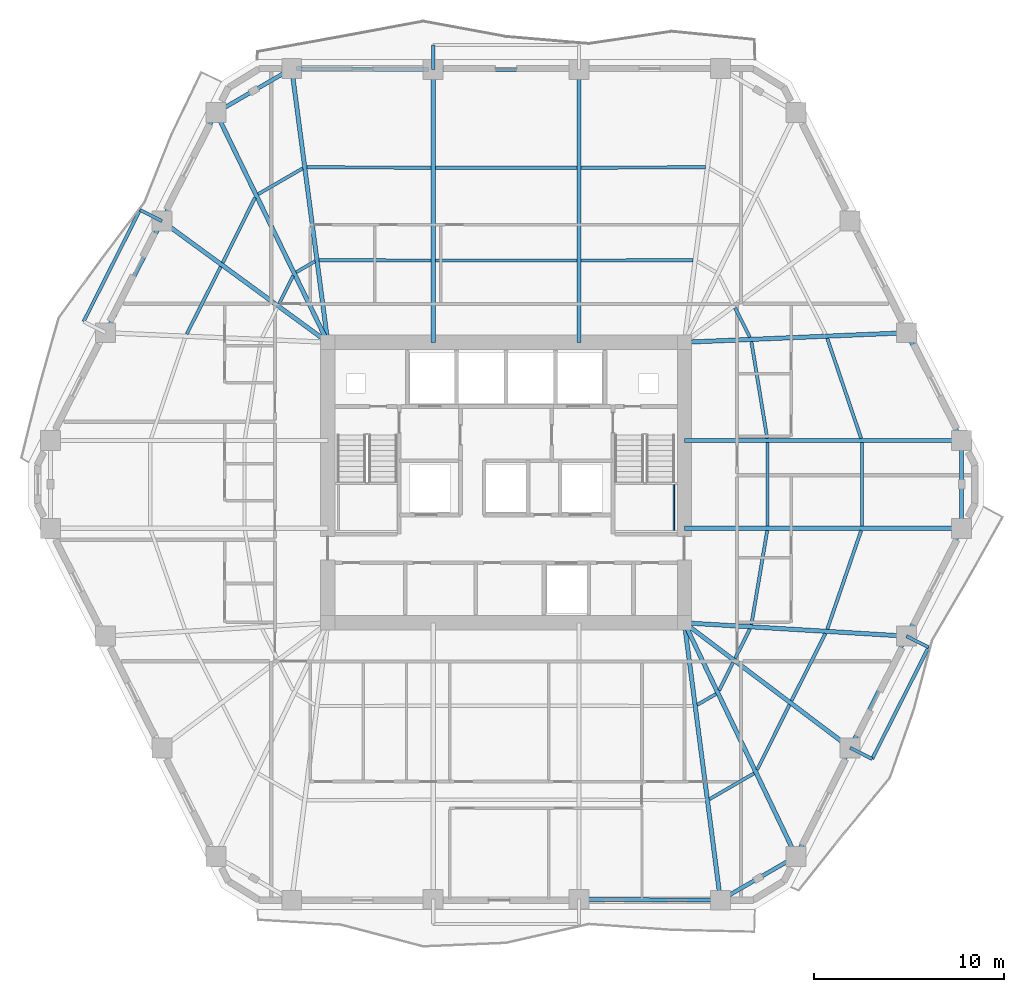
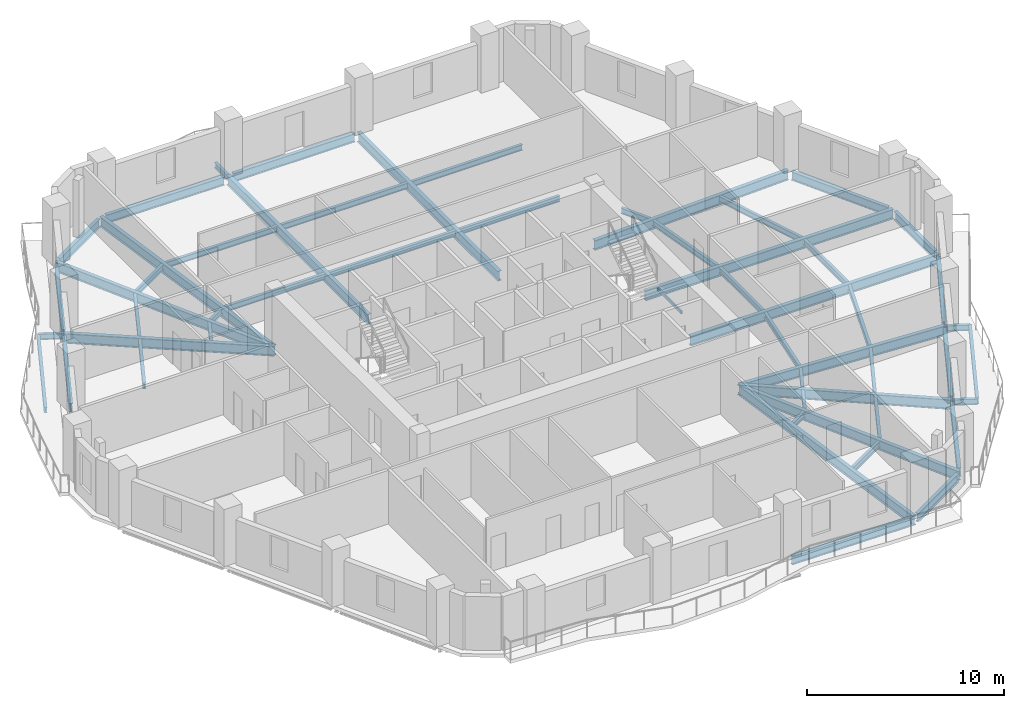
# One storey, part 2 of 10: 55 beams.
"""IFC4 building model written with IfcOpenShell, lengths in metres."""

from ifc_helpers import new_model, si_unit, direction, frame, origin, origin_2d, place, context, subcontext, project, spatial, hollow_rectangle, i_section, extrude, material, material_profile, profile_set, type_object, element, save


model = new_model("IFC4")

# Units and contexts
model_context = context("Model", 3, precision=1e-05, world=origin(), true_north=direction((0.0, 1.0)))
body_context = subcontext(model_context, "Body", "Model", "MODEL_VIEW")
ifc_project = project(units=[si_unit("LENGTHUNIT", "METRE"), si_unit("AREAUNIT", "SQUARE_METRE"), si_unit("VOLUMEUNIT", "CUBIC_METRE"), si_unit("PLANEANGLEUNIT", "RADIAN"), si_unit("MASSUNIT", "GRAM", prefix="KILO")], contexts=[model_context])

# Site, building, storey
site_placement = place(None, origin())
site = spatial("IfcSite", under=ifc_project, at=site_placement, CompositionType="ELEMENT")
building_placement = place(site_placement, origin())
building = spatial("IfcBuilding", under=site, at=building_placement, Name="Cinnabar Lancet Tower", CompositionType="ELEMENT")
storey_placement = place(building_placement, frame((0.0, 0.0, 119.699951171875)))
storey = spatial("IfcBuildingStorey", under=building, at=storey_placement, Name="L31", CompositionType="ELEMENT", Elevation=119.699951171875)

# Beams
ifc_material_1 = material(Name="Structural steel S355", Category="steel")
ifc_material_profile_1 = material_profile(ifc_material_1, i_section(OverallWidth=0.17138671875, OverallDepth=0.35498046875, WebThickness=0.00732421875, FlangeThickness=0.011474609375, FilletRadius=0.01025390625, at=origin_2d()), Name="UKB 356x171x51")
ifc_profile_set_1 = profile_set([ifc_material_profile_1], Name="Structural steel S355")
beam_type_1 = type_object("IfcBeamType", Name="STR-BM-JST-356", PredefinedType="JOIST", material=ifc_profile_set_1)
beam_1_placement = place(storey_placement, frame((43.093994140625, 9.251953125, -0.387939453125), z_axis=(0.865172906898, 0.501473669469, 0.0), x_axis=(-0.501473669469, 0.865172906898, 0.0)))
element("IfcBeam", 1, at=beam_1_placement, inside=storey, type_object=beam_type_1, Name="L31 Secondary Floor Joist 15", PredefinedType="JOIST", context=body_context, shape_type="SweptSolid", body=[
    extrude(i_section(OverallWidth=0.17138671875, OverallDepth=0.35498046875, WebThickness=0.00732421875, FlangeThickness=0.011474609375, FilletRadius=0.01025390625, at=origin_2d()), origin(), (0.0, 0.0, 1.0), 2.705810546875),
])
beam_2_placement = place(storey_placement, frame((42.449951171875, 14.2109375, -0.387939453125), z_axis=(0.865055308165, 0.501676503154, 0.0), x_axis=(-0.501676503154, 0.865055308165, 0.0)))
element("IfcBeam", 2, at=beam_2_placement, inside=storey, type_object=beam_type_1, Name="L31 Secondary Floor Joist 16", PredefinedType="JOIST", context=body_context, shape_type="SweptSolid", body=[
    extrude(i_section(OverallWidth=0.17138671875, OverallDepth=0.35498046875, WebThickness=0.00732421875, FlangeThickness=0.011474609375, FilletRadius=0.01025390625, at=origin_2d()), origin(), (0.0, 0.0, 1.0), 1.14208984375),
])
beam_3_placement = place(storey_placement, frame((45.59912109375, 10.7958984375, -0.387939453125), z_axis=(0.445295120803, 0.895383859241, 0.0), x_axis=(-0.895383859241, 0.445295120803, 0.0)))
element("IfcBeam", 3, at=beam_3_placement, inside=storey, type_object=beam_type_1, Name="L31 Secondary Floor Joist 17", PredefinedType="JOIST", context=body_context, shape_type="SweptSolid", body=[
    extrude(i_section(OverallWidth=0.17138671875, OverallDepth=0.35498046875, WebThickness=0.00732421875, FlangeThickness=0.011474609375, FilletRadius=0.01025390625, at=origin_2d()), origin(), (0.0, 0.0, 1.0), 3.81982421875),
])
beam_4_placement = place(storey_placement, frame((43.60205078125, 14.970947265625, -0.387939453125), z_axis=(0.44543923568, 0.895312173109, 0.0), x_axis=(-0.895312173109, 0.44543923568, 0.0)))
element("IfcBeam", 4, at=beam_4_placement, inside=storey, type_object=beam_type_1, Name="L31 Secondary Floor Joist 18", PredefinedType="JOIST", context=body_context, shape_type="SweptSolid", body=[
    extrude(i_section(OverallWidth=0.17138671875, OverallDepth=0.35498046875, WebThickness=0.00732421875, FlangeThickness=0.011474609375, FilletRadius=0.01025390625, at=origin_2d()), origin(), (0.0, 0.0, 1.0), 1.65185546875),
])
beam_5_placement = place(storey_placement, frame((47.404052734375, 14.424072265625, -0.387939453125), z_axis=(0.450706028652, 0.892672434736, 0.0), x_axis=(-0.892672434736, 0.450706028652, 0.0)))
element("IfcBeam", 5, at=beam_5_placement, inside=storey, type_object=beam_type_1, Name="L31 Secondary Floor Joist 19", PredefinedType="JOIST", context=body_context, shape_type="SweptSolid", body=[
    extrude(i_section(OverallWidth=0.17138671875, OverallDepth=0.35498046875, WebThickness=0.00732421875, FlangeThickness=0.011474609375, FilletRadius=0.01025390625, at=origin_2d()), origin(), (0.0, 0.0, 1.0), 3.966796875),
])
beam_6_placement = place(storey_placement, frame((44.44091796875, 16.657958984375, -0.387939453125), z_axis=(0.450874341268, 0.892587434589, 0.0), x_axis=(-0.892587434589, 0.450874341268, 0.0)))
element("IfcBeam", 6, at=beam_6_placement, inside=storey, type_object=beam_type_1, Name="L31 Secondary Floor Joist 20", PredefinedType="JOIST", context=body_context, shape_type="SweptSolid", body=[
    extrude(i_section(OverallWidth=0.17138671875, OverallDepth=0.35498046875, WebThickness=0.00732421875, FlangeThickness=0.011474609375, FilletRadius=0.01025390625, at=origin_2d()), origin(), (0.0, 0.0, 1.0), 1.732177734375),
])
beam_7_placement = place(storey_placement, frame((49.287109375, 18.18798828125, -0.387939453125), z_axis=(0.324639458548, 0.945837841257, 0.0), x_axis=(-0.945837841257, 0.324639458548, 0.0)))
element("IfcBeam", 7, at=beam_7_placement, inside=storey, type_object=beam_type_1, Name="L31 Secondary Floor Joist 21", PredefinedType="JOIST", context=body_context, shape_type="SweptSolid", body=[
    extrude(i_section(OverallWidth=0.17138671875, OverallDepth=0.35498046875, WebThickness=0.00732421875, FlangeThickness=0.011474609375, FilletRadius=0.01025390625, at=origin_2d()), origin(), (0.0, 0.0, 1.0), 5.486083984375),
])
beam_8_placement = place(storey_placement, frame((45.297119140625, 18.427978515625, -0.387939453125), z_axis=(0.165937104691, 0.986136338082, 0.0), x_axis=(-0.986136338082, 0.165937104691, 0.0)))
element("IfcBeam", 8, at=beam_8_placement, inside=storey, type_object=beam_type_1, Name="L31 Secondary Floor Joist 22", PredefinedType="JOIST", context=body_context, shape_type="SweptSolid", body=[
    extrude(i_section(OverallWidth=0.17138671875, OverallDepth=0.35498046875, WebThickness=0.00732421875, FlangeThickness=0.011474609375, FilletRadius=0.01025390625, at=origin_2d()), origin(), (0.0, 0.0, 1.0), 5.0185546875),
])
for number, where, z_axis, x_axis, name in (
    (9, (51.10693359375, 23.60498046875, -0.387939453125), (0.0, 1.0, 0.0), (-1.0, 0.0, 0.0), "L31 Secondary Floor Joist 23"),
    (10, (46.14990234375, 23.60498046875, -0.387939453125), (0.0, 1.0, 0.0), (-1.0, 0.0, 0.0), "L31 Secondary Floor Joist 24"),
):
    element("IfcBeam", number, at=place(storey_placement, frame(where, z_axis=z_axis, x_axis=x_axis)), inside=storey, type_object=beam_type_1, Name=name, PredefinedType="JOIST", context=body_context, shape_type="SweptSolid", body=[
        extrude(i_section(OverallWidth=0.17138671875, OverallDepth=0.35498046875, WebThickness=0.00732421875, FlangeThickness=0.011474609375, FilletRadius=0.01025390625, at=origin_2d()), origin(), (0.0, 0.0, 1.0), 4.39013671875),
    ])
beam_9_placement = place(storey_placement, frame((51.069091796875, 28.222900390625, -0.387939453125), z_axis=(-0.321063338019, 0.947057724207, 0.0), x_axis=(-0.947057724207, -0.321063338019, 0.0)))
element("IfcBeam", 11, at=beam_9_placement, inside=storey, type_object=beam_type_1, Name="L31 Secondary Floor Joist 25", PredefinedType="JOIST", context=body_context, shape_type="SweptSolid", body=[
    extrude(i_section(OverallWidth=0.17138671875, OverallDepth=0.35498046875, WebThickness=0.00732421875, FlangeThickness=0.011474609375, FilletRadius=0.01025390625, at=origin_2d()), origin(), (0.0, 0.0, 1.0), 5.553955078125),
])
beam_10_placement = place(storey_placement, frame((46.131103515625, 28.222900390625, -0.387939453125), z_axis=(-0.161719098977, 0.986836832017, 0.0), x_axis=(-0.986836832017, -0.161719098977, 0.0)))
element("IfcBeam", 12, at=beam_10_placement, inside=storey, type_object=beam_type_1, Name="L31 Secondary Floor Joist 26", PredefinedType="JOIST", context=body_context, shape_type="SweptSolid", body=[
    extrude(i_section(OverallWidth=0.17138671875, OverallDepth=0.35498046875, WebThickness=0.00732421875, FlangeThickness=0.011474609375, FilletRadius=0.01025390625, at=origin_2d()), origin(), (0.0, 0.0, 1.0), 5.156982421875),
])
beam_11_placement = place(storey_placement, frame((45.221923828125, 33.537109375, -0.387939453125), z_axis=(-0.450931068976, 0.892558777354, 0.0), x_axis=(-0.892558777354, -0.450931068976, 0.0)))
element("IfcBeam", 13, at=beam_11_placement, inside=storey, type_object=beam_type_1, Name="L31 Secondary Floor Joist 28", PredefinedType="JOIST", context=body_context, shape_type="SweptSolid", body=[
    extrude(i_section(OverallWidth=0.17138671875, OverallDepth=0.35498046875, WebThickness=0.00732421875, FlangeThickness=0.011474609375, FilletRadius=0.01025390625, at=origin_2d()), origin(), (0.0, 0.0, 1.0), 1.73193359375),
])
beam_12_placement = place(storey_placement, frame((42.8720703125, 42.48095703125, -0.387939453125), z_axis=(-0.999987991898, -0.004900618269, 0.0), x_axis=(0.004900618269, -0.999987991898, 0.0)))
element("IfcBeam", 14, at=beam_12_placement, inside=storey, type_object=beam_type_1, Name="L31 Secondary Floor Joist 33", PredefinedType="JOIST", context=body_context, shape_type="SweptSolid", body=[
    extrude(i_section(OverallWidth=0.17138671875, OverallDepth=0.35498046875, WebThickness=0.00732421875, FlangeThickness=0.011474609375, FilletRadius=0.01025390625, at=origin_2d()), origin(), (0.0, 0.0, 1.0), 6.526123046875),
])
beam_13_placement = place(storey_placement, frame((42.22802734375, 37.591064453125, -0.387939453125), z_axis=(-0.999996247906, -0.002739374605, 0.0), x_axis=(0.002739374605, -0.999996247906, 0.0)))
element("IfcBeam", 15, at=beam_13_placement, inside=storey, type_object=beam_type_1, Name="L31 Secondary Floor Joist 34", PredefinedType="JOIST", context=body_context, shape_type="SweptSolid", body=[
    extrude(i_section(OverallWidth=0.17138671875, OverallDepth=0.35498046875, WebThickness=0.00732421875, FlangeThickness=0.011474609375, FilletRadius=0.01025390625, at=origin_2d()), origin(), (0.0, 0.0, 1.0), 5.882080078125),
])
for number, where, z_axis, x_axis, name in (
    (16, (36.117919921875, 42.447998046875, -0.387939453125), (-1.0, 0.0, 0.0), (0.0, -1.0, 0.0), "L31 Secondary Floor Joist 35"),
    (17, (36.117919921875, 37.574951171875, -0.387939453125), (-1.0, 0.0, 0.0), (0.0, -1.0, 0.0), "L31 Secondary Floor Joist 36"),
):
    element("IfcBeam", number, at=place(storey_placement, frame(where, z_axis=z_axis, x_axis=x_axis)), inside=storey, type_object=beam_type_1, Name=name, PredefinedType="JOIST", context=body_context, shape_type="SweptSolid", body=[
        extrude(i_section(OverallWidth=0.17138671875, OverallDepth=0.35498046875, WebThickness=0.00732421875, FlangeThickness=0.011474609375, FilletRadius=0.01025390625, at=origin_2d()), origin(), (0.0, 0.0, 1.0), 7.43603515625),
    ])
beam_14_placement = place(storey_placement, frame((28.4541015625, 42.448974609375, -0.387939453125), z_axis=(-0.999987991898, 0.004900618269, 0.0), x_axis=(-0.004900618269, -0.999987991898, 0.0)))
element("IfcBeam", 18, at=beam_14_placement, inside=storey, type_object=beam_type_1, Name="L31 Secondary Floor Joist 37", PredefinedType="JOIST", context=body_context, shape_type="SweptSolid", body=[
    extrude(i_section(OverallWidth=0.17138671875, OverallDepth=0.35498046875, WebThickness=0.00732421875, FlangeThickness=0.011474609375, FilletRadius=0.01025390625, at=origin_2d()), origin(), (0.0, 0.0, 1.0), 6.526123046875),
])
beam_15_placement = place(storey_placement, frame((28.4541015625, 37.574951171875, -0.387939453125), z_axis=(-0.999996247906, 0.002739374605, 0.0), x_axis=(-0.002739374605, -0.999996247906, 0.0)))
element("IfcBeam", 19, at=beam_15_placement, inside=storey, type_object=beam_type_1, Name="L31 Secondary Floor Joist 38", PredefinedType="JOIST", context=body_context, shape_type="SweptSolid", body=[
    extrude(i_section(OverallWidth=0.17138671875, OverallDepth=0.35498046875, WebThickness=0.00732421875, FlangeThickness=0.011474609375, FilletRadius=0.01025390625, at=origin_2d()), origin(), (0.0, 0.0, 1.0), 5.882080078125),
])
beam_16_placement = place(storey_placement, frame((21.7060546875, 42.419921875, -0.387939453125), z_axis=(-0.865172906898, -0.501473669469, 0.0), x_axis=(0.501473669469, -0.865172906898, 0.0)))
element("IfcBeam", 20, at=beam_16_placement, inside=storey, type_object=beam_type_1, Name="L31 Secondary Floor Joist 39", PredefinedType="JOIST", context=body_context, shape_type="SweptSolid", body=[
    extrude(i_section(OverallWidth=0.17138671875, OverallDepth=0.35498046875, WebThickness=0.00732421875, FlangeThickness=0.011474609375, FilletRadius=0.01025390625, at=origin_2d()), origin(), (0.0, 0.0, 1.0), 2.705810546875),
])
beam_17_placement = place(storey_placement, frame((22.35009765625, 37.529052734375, -0.387939453125), z_axis=(-0.865055308165, -0.501676503154, 0.0), x_axis=(0.501676503154, -0.865055308165, 0.0)))
element("IfcBeam", 21, at=beam_17_placement, inside=storey, type_object=beam_type_1, Name="L31 Secondary Floor Joist 40", PredefinedType="JOIST", context=body_context, shape_type="SweptSolid", body=[
    extrude(i_section(OverallWidth=0.17138671875, OverallDepth=0.35498046875, WebThickness=0.00732421875, FlangeThickness=0.011474609375, FilletRadius=0.01025390625, at=origin_2d()), origin(), (0.0, 0.0, 1.0), 1.14208984375),
])
beam_18_placement = place(storey_placement, frame((19.200927734375, 40.876953125, -0.387939453125), z_axis=(-0.445116798807, -0.895472520751, 0.0), x_axis=(0.895472520751, -0.445116798807, 0.0)))
element("IfcBeam", 22, at=beam_18_placement, inside=storey, type_object=beam_type_1, Name="L31 Secondary Floor Joist 41", PredefinedType="JOIST", context=body_context, shape_type="SweptSolid", body=[
    extrude(i_section(OverallWidth=0.17138671875, OverallDepth=0.35498046875, WebThickness=0.00732421875, FlangeThickness=0.011474609375, FilletRadius=0.01025390625, at=origin_2d()), origin(), (0.0, 0.0, 1.0), 3.8212890625),
])
beam_19_placement = place(storey_placement, frame((21.198974609375, 36.77001953125, -0.387939453125), z_axis=(-0.445795466264, -0.895134851438, 0.0), x_axis=(0.895134851438, -0.445795466264, 0.0)))
element("IfcBeam", 23, at=beam_19_placement, inside=storey, type_object=beam_type_1, Name="L31 Secondary Floor Joist 42", PredefinedType="JOIST", context=body_context, shape_type="SweptSolid", body=[
    extrude(i_section(OverallWidth=0.17138671875, OverallDepth=0.35498046875, WebThickness=0.00732421875, FlangeThickness=0.011474609375, FilletRadius=0.01025390625, at=origin_2d()), origin(), (0.0, 0.0, 1.0), 1.6533203125),
])
beam_20_placement = place(storey_placement, frame((17.39599609375, 37.2490234375, -0.387939453125), z_axis=(-0.450656035687, -0.892697674187, 0.0), x_axis=(0.892697674187, -0.450656035687, 0.0)))
element("IfcBeam", 24, at=beam_20_placement, inside=storey, type_object=beam_type_1, Name="L31 Secondary Floor Joist 43", PredefinedType="JOIST", context=body_context, shape_type="SweptSolid", body=[
    extrude(i_section(OverallWidth=0.17138671875, OverallDepth=0.35498046875, WebThickness=0.00732421875, FlangeThickness=0.011474609375, FilletRadius=0.01025390625, at=origin_2d()), origin(), (0.0, 0.0, 1.0), 3.9677734375),
])
ifc_material_2 = material(Name="Structural steel S355", Category="steel")
ifc_material_profile_2 = material_profile(ifc_material_2, hollow_rectangle(XDim=0.10009765625, YDim=0.199951171875, WallThickness=0.008056640625, InnerFilletRadius=0.00390625, OuterFilletRadius=0.011962890625, at=origin_2d()), Name="RHS 200x100x8")
ifc_profile_set_2 = profile_set([ifc_material_profile_2], Name="Structural steel S355")
beam_type_2 = type_object("IfcBeamType", Name="STR-BM-LND-203", PredefinedType="BEAM", material=ifc_profile_set_2)
beam_21_placement = place(storey_placement, frame((41.219970703125, 23.3798828125, 1.47509765625), z_axis=(0.0, 1.0, 0.0), x_axis=(-1.0, 0.0, 0.0)))
element("IfcBeam", 25, at=beam_21_placement, inside=storey, type_object=beam_type_2, Name="L31 ST-2-L31 Landing Side Trimmer Beam", PredefinedType="BEAM", context=body_context, shape_type="SweptSolid", body=[
    extrude(hollow_rectangle(XDim=0.10009765625, YDim=0.199951171875, WallThickness=0.008056640625, InnerFilletRadius=0.00390625, OuterFilletRadius=0.011962890625, at=origin_2d()), origin(), (0.0, 0.0, 1.0), 2.4150390625),
])
ifc_material_3 = material(Name="Structural steel S355", Category="steel")
ifc_material_profile_3 = material_profile(ifc_material_3, i_section(OverallWidth=0.209228515625, OverallDepth=0.533203125, WebThickness=0.010009765625, FlangeThickness=0.015625, FilletRadius=0.0126953125, at=origin_2d()), Name="UKB 533x210x92")
ifc_profile_set_3 = profile_set([ifc_material_profile_3], Name="Structural steel S355")
beam_type_3 = type_object("IfcBeamType", Name="STR-BM-SPN-533", PredefinedType="SPANDREL", material=ifc_profile_set_3)
beam_22_placement = place(storey_placement, frame((36.48193359375, 3.989990234375, -0.47705078125), z_axis=(0.999974980359, -0.007073800628, 0.0), x_axis=(0.007073800628, 0.999974980359, 0.0)))
element("IfcBeam", 26, at=beam_22_placement, inside=storey, type_object=beam_type_3, Name="L31 Perimeter Spandrel 3", PredefinedType="SPANDREL", context=body_context, shape_type="SweptSolid", body=[
    extrude(i_section(OverallWidth=0.209228515625, OverallDepth=0.533203125, WebThickness=0.010009765625, FlangeThickness=0.015625, FilletRadius=0.0126953125, at=origin_2d()), origin(), (0.0, 0.0, 1.0), 6.937255859375),
])
beam_23_placement = place(storey_placement, frame((43.885009765625, 4.06396484375, -0.47705078125), z_axis=(0.865112299906, 0.501578217781, 0.0), x_axis=(-0.501578217781, 0.865112299906, 0.0)))
element("IfcBeam", 27, at=beam_23_placement, inside=storey, type_object=beam_type_3, Name="L31 Perimeter Spandrel 4", PredefinedType="SPANDREL", context=body_context, shape_type="SweptSolid", body=[
    extrude(i_section(OverallWidth=0.209228515625, OverallDepth=0.533203125, WebThickness=0.010009765625, FlangeThickness=0.015625, FilletRadius=0.0126953125, at=origin_2d()), origin(), (0.0, 0.0, 1.0), 4.101318359375),
])
beam_24_placement = place(storey_placement, frame((47.760009765625, 6.469970703125, -0.47705078125), z_axis=(0.445501068635, 0.89528140707, 0.0), x_axis=(-0.89528140707, 0.445501068635, 0.0)))
element("IfcBeam", 28, at=beam_24_placement, inside=storey, type_object=beam_type_3, Name="L31 Perimeter Spandrel 5", PredefinedType="SPANDREL", context=body_context, shape_type="SweptSolid", body=[
    extrude(i_section(OverallWidth=0.209228515625, OverallDepth=0.533203125, WebThickness=0.010009765625, FlangeThickness=0.015625, FilletRadius=0.0126953125, at=origin_2d()), origin(), (0.0, 0.0, 1.0), 5.87646484375),
])
beam_25_placement = place(storey_placement, frame((50.60205078125, 12.177978515625, -0.47705078125), z_axis=(0.450570325924, 0.892740937449, 0.0), x_axis=(-0.892740937449, 0.450570325924, 0.0)))
element("IfcBeam", 29, at=beam_25_placement, inside=storey, type_object=beam_type_3, Name="L31 Perimeter Spandrel 6", PredefinedType="SPANDREL", context=body_context, shape_type="SweptSolid", body=[
    extrude(i_section(OverallWidth=0.209228515625, OverallDepth=0.533203125, WebThickness=0.010009765625, FlangeThickness=0.015625, FilletRadius=0.0126953125, at=origin_2d()), origin(), (0.0, 0.0, 1.0), 6.07470703125),
])
beam_26_placement = place(storey_placement, frame((53.56591796875, 18.0458984375, -0.47705078125), z_axis=(0.456109733574, 0.889923542187, 0.0), x_axis=(-0.889923542187, 0.456109733574, 0.0)))
element("IfcBeam", 30, at=beam_26_placement, inside=storey, type_object=beam_type_3, Name="L31 Perimeter Spandrel 7", PredefinedType="SPANDREL", context=body_context, shape_type="SweptSolid", body=[
    extrude(i_section(OverallWidth=0.209228515625, OverallDepth=0.533203125, WebThickness=0.010009765625, FlangeThickness=0.015625, FilletRadius=0.0126953125, at=origin_2d()), origin(), (0.0, 0.0, 1.0), 5.869140625),
])
beam_27_placement = place(storey_placement, frame((56.35693359375, 23.740966796875, -0.47705078125), z_axis=(0.0, 1.0, 0.0), x_axis=(-1.0, 0.0, 0.0)))
element("IfcBeam", 31, at=beam_27_placement, inside=storey, type_object=beam_type_3, Name="L31 Perimeter Spandrel 8", PredefinedType="SPANDREL", context=body_context, shape_type="SweptSolid", body=[
    extrude(i_section(OverallWidth=0.209228515625, OverallDepth=0.533203125, WebThickness=0.010009765625, FlangeThickness=0.015625, FilletRadius=0.0126953125, at=origin_2d()), origin(), (0.0, 0.0, 1.0), 4.117919921875),
])
beam_28_placement = place(storey_placement, frame((56.242919921875, 28.3310546875, -0.47705078125), z_axis=(-0.456126618405, 0.889914888055, 0.0), x_axis=(-0.889914888055, -0.456126618405, 0.0)))
element("IfcBeam", 32, at=beam_28_placement, inside=storey, type_object=beam_type_3, Name="L31 Perimeter Spandrel 9", PredefinedType="SPANDREL", context=body_context, shape_type="SweptSolid", body=[
    extrude(i_section(OverallWidth=0.209228515625, OverallDepth=0.533203125, WebThickness=0.010009765625, FlangeThickness=0.015625, FilletRadius=0.0126953125, at=origin_2d()), origin(), (0.0, 0.0, 1.0), 5.868896484375),
])
beam_29_placement = place(storey_placement, frame((35.98193359375, 47.60791015625, -0.47705078125), z_axis=(-1.0, 0.0, 0.0), x_axis=(0.0, -1.0, 0.0)))
element("IfcBeam", 33, at=beam_29_placement, inside=storey, type_object=beam_type_3, Name="L31 Perimeter Spandrel 14", PredefinedType="SPANDREL", context=body_context, shape_type="SweptSolid", body=[
    extrude(i_section(OverallWidth=0.209228515625, OverallDepth=0.533203125, WebThickness=0.010009765625, FlangeThickness=0.015625, FilletRadius=0.0126953125, at=origin_2d()), origin(), (0.0, 0.0, 1.0), 7.163818359375),
])
beam_30_placement = place(storey_placement, frame((28.318115234375, 47.610107421875, -0.47705078125), z_axis=(-0.999975228682, 0.007038609338, 0.0), x_axis=(-0.007038609338, -0.999975228682, 0.0)))
element("IfcBeam", 34, at=beam_30_placement, inside=storey, type_object=beam_type_3, Name="L31 Perimeter Spandrel 15", PredefinedType="SPANDREL", context=body_context, shape_type="SweptSolid", body=[
    extrude(i_section(OverallWidth=0.209228515625, OverallDepth=0.533203125, WebThickness=0.010009765625, FlangeThickness=0.015625, FilletRadius=0.0126953125, at=origin_2d()), origin(), (0.0, 0.0, 1.0), 6.937255859375),
])
beam_31_placement = place(storey_placement, frame((20.9150390625, 47.535888671875, -0.47705078125), z_axis=(-0.865138129765, -0.5015336643, 0.0), x_axis=(0.5015336643, -0.865138129765, 0.0)))
element("IfcBeam", 35, at=beam_31_placement, inside=storey, type_object=beam_type_3, Name="L31 Perimeter Spandrel 16", PredefinedType="SPANDREL", context=body_context, shape_type="SweptSolid", body=[
    extrude(i_section(OverallWidth=0.209228515625, OverallDepth=0.533203125, WebThickness=0.010009765625, FlangeThickness=0.015625, FilletRadius=0.0126953125, at=origin_2d()), origin(), (0.0, 0.0, 1.0), 4.10107421875),
])
beam_32_placement = place(storey_placement, frame((17.0400390625, 45.1298828125, -0.47705078125), z_axis=(-0.445501068635, -0.89528140707, 0.0), x_axis=(0.89528140707, -0.445501068635, 0.0)))
element("IfcBeam", 36, at=beam_32_placement, inside=storey, type_object=beam_type_3, Name="L31 Perimeter Spandrel 17", PredefinedType="SPANDREL", context=body_context, shape_type="SweptSolid", body=[
    extrude(i_section(OverallWidth=0.209228515625, OverallDepth=0.533203125, WebThickness=0.010009765625, FlangeThickness=0.015625, FilletRadius=0.0126953125, at=origin_2d()), origin(), (0.0, 0.0, 1.0), 5.87646484375),
])
beam_33_placement = place(storey_placement, frame((14.197998046875, 39.422119140625, -0.47705078125), z_axis=(-0.450570325924, -0.892740937449, 0.0), x_axis=(0.892740937449, -0.450570325924, 0.0)))
element("IfcBeam", 37, at=beam_33_placement, inside=storey, type_object=beam_type_3, Name="L31 Perimeter Spandrel 18", PredefinedType="SPANDREL", context=body_context, shape_type="SweptSolid", body=[
    extrude(i_section(OverallWidth=0.209228515625, OverallDepth=0.533203125, WebThickness=0.010009765625, FlangeThickness=0.015625, FilletRadius=0.0126953125, at=origin_2d()), origin(), (0.0, 0.0, 1.0), 6.07470703125),
])
ifc_material_4 = material(Name="Structural steel S355", Category="steel")
ifc_material_profile_4 = material_profile(ifc_material_4, i_section(OverallWidth=0.228271484375, OverallDepth=0.607666015625, WebThickness=0.010986328125, FlangeThickness=0.017333984375, FilletRadius=0.0126953125, at=origin_2d()), Name="UKB 610x229x113")
ifc_profile_set_4 = profile_set([ifc_material_profile_4], Name="Structural steel S355")
beam_type_4 = type_object("IfcBeamType", Name="STR-BM-UKB610-113", PredefinedType="BEAM", material=ifc_profile_set_4)
beam_34_placement = place(storey_placement, frame((50.489013671875, 11.955078125, -0.513916015625), z_axis=(-0.798491457835, 0.602006139308, 0.0), x_axis=(-0.602006139308, -0.798491457835, 0.0)))
element("IfcBeam", 38, at=beam_34_placement, inside=storey, type_object=beam_type_4, Name="L31 Corner Collector Girder 2", PredefinedType="BEAM", context=body_context, shape_type="SweptSolid", body=[
    extrude(i_section(OverallWidth=0.228271484375, OverallDepth=0.607666015625, WebThickness=0.010986328125, FlangeThickness=0.017333984375, FilletRadius=0.0126953125, at=origin_2d()), origin(), (0.0, 0.0, 1.0), 10.913330078125),
])
beam_35_placement = place(storey_placement, frame((14.31103515625, 39.64501953125, -0.513916015625), z_axis=(0.807289993592, -0.590154951048, 0.0), x_axis=(0.590154951048, 0.807289993592, 0.0)))
element("IfcBeam", 39, at=beam_35_placement, inside=storey, type_object=beam_type_4, Name="L31 Corner Collector Girder 4", PredefinedType="BEAM", context=body_context, shape_type="SweptSolid", body=[
    extrude(i_section(OverallWidth=0.228271484375, OverallDepth=0.607666015625, WebThickness=0.010986328125, FlangeThickness=0.017333984375, FilletRadius=0.0126953125, at=origin_2d()), origin(), (0.0, 0.0, 1.0), 10.7939453125),
])
beam_36_placement = place(storey_placement, frame((43.6689453125, 3.93896484375, -0.513916015625), z_axis=(-0.12877289353, 0.99167411073, 0.0), x_axis=(-0.99167411073, -0.12877289353, 0.0)))
element("IfcBeam", 40, at=beam_36_placement, inside=storey, type_object=beam_type_4, Name="L31 Primary Floor Girder 4", PredefinedType="BEAM", context=body_context, shape_type="SweptSolid", body=[
    extrude(i_section(OverallWidth=0.228271484375, OverallDepth=0.607666015625, WebThickness=0.010986328125, FlangeThickness=0.017333984375, FilletRadius=0.0126953125, at=origin_2d()), origin(), (0.0, 0.0, 1.0), 14.70849609375),
])
beam_37_placement = place(storey_placement, frame((47.64892578125, 6.24609375, -0.513916015625), z_axis=(-0.431548156881, 0.902089900339, 0.0), x_axis=(-0.902089900339, -0.431548156881, 0.0)))
element("IfcBeam", 41, at=beam_37_placement, inside=storey, type_object=beam_type_4, Name="L31 Primary Floor Girder 5", PredefinedType="BEAM", context=body_context, shape_type="SweptSolid", body=[
    extrude(i_section(OverallWidth=0.228271484375, OverallDepth=0.607666015625, WebThickness=0.010986328125, FlangeThickness=0.017333984375, FilletRadius=0.0126953125, at=origin_2d()), origin(), (0.0, 0.0, 1.0), 13.611572265625),
])
beam_38_placement = place(storey_placement, frame((53.451904296875, 17.823974609375, -0.513916015625), z_axis=(-0.998203272991, 0.059918492897, 0.0), x_axis=(-0.059918492897, -0.998203272991, 0.0)))
element("IfcBeam", 42, at=beam_38_placement, inside=storey, type_object=beam_type_4, Name="L31 Primary Floor Girder 7", PredefinedType="BEAM", context=body_context, shape_type="SweptSolid", body=[
    extrude(i_section(OverallWidth=0.228271484375, OverallDepth=0.607666015625, WebThickness=0.010986328125, FlangeThickness=0.017333984375, FilletRadius=0.0126953125, at=origin_2d()), origin(), (0.0, 0.0, 1.0), 11.697998046875),
])
for number, where, z_axis, x_axis, name in (
    (43, (56.35693359375, 23.490966796875, -0.513916015625), (-1.0, 0.0, 0.0), (0.0, -1.0, 0.0), "L31 Primary Floor Girder 8"),
    (44, (56.35693359375, 28.10888671875, -0.513916015625), (-1.0, 0.0, 0.0), (0.0, -1.0, 0.0), "L31 Primary Floor Girder 9"),
):
    element("IfcBeam", number, at=place(storey_placement, frame(where, z_axis=z_axis, x_axis=x_axis)), inside=storey, type_object=beam_type_4, Name=name, PredefinedType="BEAM", context=body_context, shape_type="SweptSolid", body=[
        extrude(i_section(OverallWidth=0.228271484375, OverallDepth=0.607666015625, WebThickness=0.010986328125, FlangeThickness=0.017333984375, FilletRadius=0.0126953125, at=origin_2d()), origin(), (0.0, 0.0, 1.0), 14.58203125),
    ])
beam_39_placement = place(storey_placement, frame((53.451904296875, 33.77587890625, -0.513916015625), z_axis=(-0.999080941658, -0.042863411158, 0.0), x_axis=(0.042863411158, -0.999080941658, 0.0)))
element("IfcBeam", 45, at=beam_39_placement, inside=storey, type_object=beam_type_4, Name="L31 Primary Floor Girder 10", PredefinedType="BEAM", context=body_context, shape_type="SweptSolid", body=[
    extrude(i_section(OverallWidth=0.228271484375, OverallDepth=0.607666015625, WebThickness=0.010986328125, FlangeThickness=0.017333984375, FilletRadius=0.0126953125, at=origin_2d()), origin(), (0.0, 0.0, 1.0), 11.687744140625),
])
for number, where, z_axis, x_axis, name in (
    (46, (36.23193359375, 47.60791015625, -0.513916015625), (0.0, -1.0, 0.0), (1.0, 0.0, 0.0), "L31 Primary Floor Girder 14"),
    (47, (28.568115234375, 47.60791015625, -0.513916015625), (0.0, -1.0, 0.0), (1.0, 0.0, 0.0), "L31 Primary Floor Girder 15"),
):
    element("IfcBeam", number, at=place(storey_placement, frame(where, z_axis=z_axis, x_axis=x_axis)), inside=storey, type_object=beam_type_4, Name=name, PredefinedType="BEAM", context=body_context, shape_type="SweptSolid", body=[
        extrude(i_section(OverallWidth=0.228271484375, OverallDepth=0.607666015625, WebThickness=0.010986328125, FlangeThickness=0.017333984375, FilletRadius=0.0126953125, at=origin_2d()), origin(), (0.0, 0.0, 1.0), 14.3330078125),
    ])
beam_40_placement = place(storey_placement, frame((21.131103515625, 47.660888671875, -0.513916015625), z_axis=(0.130515881524, -0.991446218748, 0.0), x_axis=(0.991446218748, 0.130515881524, 0.0)))
element("IfcBeam", 48, at=beam_40_placement, inside=storey, type_object=beam_type_4, Name="L31 Primary Floor Girder 16", PredefinedType="BEAM", context=body_context, shape_type="SweptSolid", body=[
    extrude(i_section(OverallWidth=0.228271484375, OverallDepth=0.607666015625, WebThickness=0.010986328125, FlangeThickness=0.017333984375, FilletRadius=0.0126953125, at=origin_2d()), origin(), (0.0, 0.0, 1.0), 14.510009765625),
])
beam_41_placement = place(storey_placement, frame((17.15087890625, 45.35400390625, -0.513916015625), z_axis=(0.437327473227, -0.899302330232, 0.0), x_axis=(0.899302330232, 0.437327473227, 0.0)))
element("IfcBeam", 49, at=beam_41_placement, inside=storey, type_object=beam_type_4, Name="L31 Primary Floor Girder 17", PredefinedType="BEAM", context=body_context, shape_type="SweptSolid", body=[
    extrude(i_section(OverallWidth=0.228271484375, OverallDepth=0.607666015625, WebThickness=0.010986328125, FlangeThickness=0.017333984375, FilletRadius=0.0126953125, at=origin_2d()), origin(), (0.0, 0.0, 1.0), 13.431640625),
])
ifc_material_5 = material(Name="Structural steel S355", Category="steel")
ifc_material_profile_5 = material_profile(ifc_material_5, i_section(OverallWidth=0.17138671875, OverallDepth=0.35498046875, WebThickness=0.00732421875, FlangeThickness=0.011474609375, FilletRadius=0.01025390625, at=origin_2d()), Name="UKB 356x171x51")
ifc_profile_set_5 = profile_set([ifc_material_profile_5], Name="Structural steel S355")
beam_type_5 = type_object("IfcBeamType", Name="STR-BM-WAV-OUT", PredefinedType="BEAM", material=ifc_profile_set_5)
for number, where, z_axis, x_axis, name in (
    (50, (50.489013671875, 11.955078125, -0.39697265625), (0.892200264127, -0.451639998995, 0.0), (0.451639998995, 0.892200264127, 0.0), "L31 Face 2 Balcony Outlooker A"),
    (51, (53.451904296875, 17.823974609375, -0.39697265625), (0.892314203325, -0.451414845285, 0.0), (0.451414845285, 0.892314203325, 0.0), "L31 Face 2 Balcony Outlooker B"),
    (52, (28.568115234375, 47.60791015625, -0.39697265625), (0.0, 1.0, 0.0), (-1.0, 0.0, 0.0), "L31 Face 4 Balcony Outlooker B"),
    (53, (14.31103515625, 39.64501953125, -0.39697265625), (-0.892314203325, 0.451414845285, 0.0), (-0.451414845285, -0.892314203325, 0.0), "L31 Face 5 Balcony Outlooker A"),
):
    element("IfcBeam", number, at=place(storey_placement, frame(where, z_axis=z_axis, x_axis=x_axis)), inside=storey, type_object=beam_type_5, Name=name, PredefinedType="BEAM", context=body_context, shape_type="SweptSolid", body=[
        extrude(i_section(OverallWidth=0.17138671875, OverallDepth=0.35498046875, WebThickness=0.00732421875, FlangeThickness=0.011474609375, FilletRadius=0.01025390625, at=origin_2d()), origin(), (0.0, 0.0, 1.0), 1.300048828125),
    ])
ifc_material_6 = material(Name="Structural steel S355", Category="steel")
ifc_material_profile_6 = material_profile(ifc_material_6, i_section(OverallWidth=0.17138671875, OverallDepth=0.35498046875, WebThickness=0.00732421875, FlangeThickness=0.011474609375, FilletRadius=0.01025390625, at=origin_2d()), Name="UKB 356x171x51")
ifc_profile_set_6 = profile_set([ifc_material_profile_6], Name="Structural steel S355")
beam_type_6 = type_object("IfcBeamType", Name="STR-BM-WAV-TRIM", PredefinedType="SPANDREL", material=ifc_profile_set_6)
beam_42_placement = place(storey_placement, frame((51.64892578125, 11.367919921875, -0.39697265625), z_axis=(0.450685888317, 0.892682603209, 0.0), x_axis=(-0.892682603209, 0.450685888317, 0.0)))
element("IfcBeam", 54, at=beam_42_placement, inside=storey, type_object=beam_type_6, Name="L31 Face 2 Balcony Edge Trimmer", PredefinedType="SPANDREL", context=body_context, shape_type="SweptSolid", body=[
    extrude(i_section(OverallWidth=0.17138671875, OverallDepth=0.35498046875, WebThickness=0.00732421875, FlangeThickness=0.011474609375, FilletRadius=0.01025390625, at=origin_2d()), origin(), (0.0, 0.0, 1.0), 6.57470703125),
])
beam_43_placement = place(storey_placement, frame((13.15087890625, 40.23193359375, -0.39697265625), z_axis=(-0.450671236139, -0.892690000457, 0.0), x_axis=(0.892690000457, -0.450671236139, 0.0)))
element("IfcBeam", 55, at=beam_43_placement, inside=storey, type_object=beam_type_6, Name="L31 Face 5 Balcony Edge Trimmer", PredefinedType="SPANDREL", context=body_context, shape_type="SweptSolid", body=[
    extrude(i_section(OverallWidth=0.17138671875, OverallDepth=0.35498046875, WebThickness=0.00732421875, FlangeThickness=0.011474609375, FilletRadius=0.01025390625, at=origin_2d()), origin(), (0.0, 0.0, 1.0), 6.574462890625),
])

save(model, "model.ifc")
